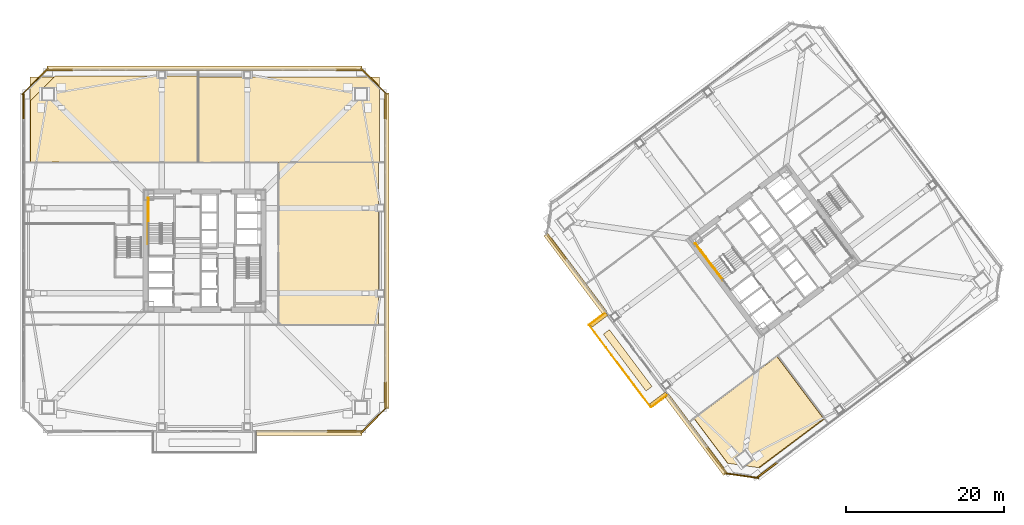
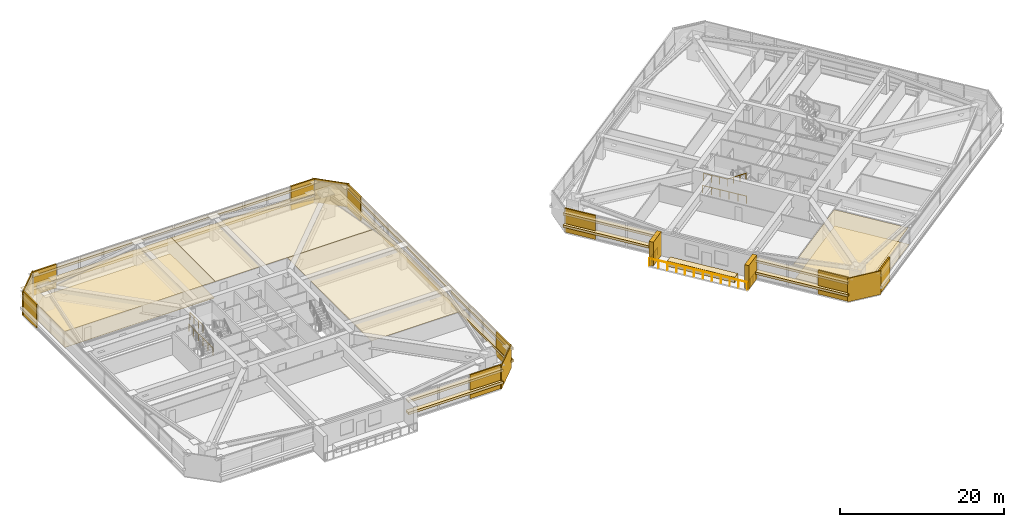
# One storey, part 45 of 48: 32 coverings, 8 railings.
"""IFC4 building model written with IfcOpenShell, lengths in metres."""

from ifc_helpers import new_model, si_unit, direction, frame, origin, origin_2d, place, context, subcontext, project, spatial, polyline, rectangle, outline, extrude, material, layer, layer_set, type_object, element, save


model = new_model("IFC4")

# Units and contexts
model_context = context("Model", 3, precision=1e-05, world=origin(), true_north=direction((0.0, 1.0)))
body_context = subcontext(model_context, "Body", "Model", "MODEL_VIEW")
ifc_project = project(units=[si_unit("LENGTHUNIT", "METRE"), si_unit("AREAUNIT", "SQUARE_METRE"), si_unit("VOLUMEUNIT", "CUBIC_METRE"), si_unit("PLANEANGLEUNIT", "RADIAN"), si_unit("MASSUNIT", "GRAM", prefix="KILO")], contexts=[model_context])

# Site, building, storey
site_placement = place(None, origin())
site = spatial("IfcSite", under=ifc_project, at=site_placement, CompositionType="ELEMENT")
building_placement = place(site_placement, origin())
building = spatial("IfcBuilding", under=site, at=building_placement, Name="Tashvorn Skyway Center", CompositionType="ELEMENT")
storey_placement = place(building_placement, frame((0.0, 0.0, 63.64990234375)))
storey = spatial("IfcBuildingStorey", under=building, at=storey_placement, Name="L16", CompositionType="ELEMENT", Elevation=63.64990234375)

# Coverings
ifc_material_1 = material(Name="Precast concrete C40/50", Category="concrete")
ifc_layer_1 = layer(ifc_material_1, 0.199951171875)
ifc_layer_set_1 = layer_set([ifc_layer_1], Name="Precast concrete C40/50")
covering_type_1 = type_object("IfcCoveringType", Name="COV-BRACE-CLAD", PredefinedType="CLADDING", material=ifc_layer_set_1)
covering_1_placement = place(storey_placement, frame((59.666748046875, 9.1201171875, 0.0), z_axis=(0.0, 0.0, 1.0), x_axis=(-1.0, 0.0, 0.0)))
element("IfcCovering", 1, at=covering_1_placement, inside=storey, type_object=covering_type_1, Name="Tower 1 L16 South Curtain Wall L Mega-Brace Cladding Band 1", PredefinedType="CLADDING", context=body_context, shape_type="SweptSolid", body=[
    extrude(rectangle(XDim=4.4267578125, YDim=0.199951171875, at=origin_2d()), origin(), (0.0, 0.0, 1.0), 3.550048828125),
])
for number, where, z_axis, x_axis, name in (
    (2, (19.1201171875, 50.223388671875, 0.0), (0.0, 0.0, 1.0), (0.0, 1.0, 0.0), "Tower 1 L16 West Unitised Curtain Wall Mega-Brace Cladding Band 2"),
    (3, (23.776611328125, 54.8798828125, 0.0), (0.0, 0.0, 1.0), (1.0, 0.0, 0.0), "Tower 1 L16 North Unitised Curtain Wall Mega-Brace Cladding Band 1"),
    (4, (60.223388671875, 54.8798828125, 0.0), (0.0, 0.0, 1.0), (1.0, 0.0, 0.0), "Tower 1 L16 North Unitised Curtain Wall Mega-Brace Cladding Band 2"),
    (5, (64.8798828125, 50.223388671875, 0.0), (0.0, 0.0, 1.0), (0.0, -1.0, 0.0), "Tower 1 L16 East Unitised Curtain Wall Mega-Brace Cladding Band 1"),
    (6, (64.8798828125, 13.776611328125, 0.0), (0.0, 0.0, 1.0), (0.0, -1.0, 0.0), "Tower 1 L16 East Unitised Curtain Wall Mega-Brace Cladding Band 2"),
):
    element("IfcCovering", number, at=place(storey_placement, frame(where, z_axis=z_axis, x_axis=x_axis)), inside=storey, type_object=covering_type_1, Name=name, PredefinedType="CLADDING", context=body_context, shape_type="SweptSolid", body=[
        extrude(rectangle(XDim=3.313232421875, YDim=0.199951171875, at=origin_2d()), origin(), (0.0, 0.0, 1.0), 3.550048828125),
    ])
covering_2_placement = place(storey_placement, frame((113.16259765625, 4.27197265625, 0.0), z_axis=(0.0, 0.0, 1.0), x_axis=(-0.799999996291, -0.600000004945, 0.0)))
element("IfcCovering", 7, at=covering_2_placement, inside=storey, type_object=covering_type_1, Name="Tower 2 L16 South Unitised Curtain Wall Mega-Brace Cladding Band 2", PredefinedType="CLADDING", context=body_context, shape_type="SweptSolid", body=[
    extrude(rectangle(XDim=3.146728515625, YDim=0.199951171875, at=origin_2d()), origin(), (0.0, 0.0, 1.0), 3.550048828125),
])
for number, where, z_axis, x_axis, name in (
    (8, (106.756103515625, 5.525390625, 0.0), (0.0, 0.0, 1.0), (-0.600000004945, 0.799999996291, 0.0), "Tower 2 L16 West Curtain Wall L Mega-Brace Cladding Band 1"),
    (9, (86.555908203125, 32.458740234375, 0.0), (0.0, 0.0, 1.0), (-0.600000004945, 0.799999996291, 0.0), "Tower 2 L16 West Curtain Wall R Mega-Brace Cladding Band 1"),
):
    element("IfcCovering", number, at=place(storey_placement, frame(where, z_axis=z_axis, x_axis=x_axis)), inside=storey, type_object=covering_type_1, Name=name, PredefinedType="CLADDING", context=body_context, shape_type="SweptSolid", body=[
        extrude(rectangle(XDim=4.09326171875, YDim=0.199951171875, at=origin_2d()), origin(), (0.0, 0.0, 1.0), 3.550048828125),
    ])
ifc_material_2 = material(Name="Mineral-fibre acoustic ceiling tile on suspended grid")
ifc_layer_2 = layer(ifc_material_2, 0.02001953125)
ifc_layer_set_2 = layer_set([ifc_layer_2], Name="Mineral-fibre acoustic ceiling tile on suspended grid")
covering_type_2 = type_object("IfcCoveringType", Name="COV-CEIL-20", PredefinedType="CEILING", material=ifc_layer_set_2)
covering_3_placement = place(storey_placement, frame((0.0, 0.0, 2.47314453125)))
element("IfcCovering", 10, at=covering_3_placement, inside=storey, type_object=covering_type_2, Name="Tower 1 L16 Gallery Showroom Acoustic Ceiling", PredefinedType="CEILING", context=body_context, shape_type="SweptSolid", body=[
    extrude(outline(polyline([(19.89990234375, 43.169921875), (41.199951171875, 43.169921875), (41.199951171875, 54.0), (19.89990234375, 54.0), (19.89990234375, 43.169921875)])), origin(), (0.0, 0.0, 1.0), 0.02001953125),
])
covering_4_placement = place(storey_placement, frame((0.0, 0.0, 2.47314453125)))
element("IfcCovering", 11, at=covering_4_placement, inside=storey, type_object=covering_type_2, Name="Tower 1 L16 Gallery Showroom Acoustic Ceiling", PredefinedType="CEILING", context=body_context, shape_type="SweptSolid", body=[
    extrude(outline(polyline([(41.199951171875, 43.169921875), (64.10009765625, 43.169921875), (64.10009765625, 54.0), (41.199951171875, 54.0), (41.199951171875, 43.169921875)])), origin(), (0.0, 0.0, 1.0), 0.02001953125),
])
covering_5_placement = place(storey_placement, frame((0.0, 0.0, 2.47314453125)))
element("IfcCovering", 12, at=covering_5_placement, inside=storey, type_object=covering_type_2, Name="Tower 1 L16 Conference Room Acoustic Ceiling", PredefinedType="CEILING", context=body_context, shape_type="SweptSolid", body=[
    extrude(outline(polyline([(51.35009765625, 22.64990234375), (64.0, 22.64990234375), (64.0, 43.169921875), (51.35009765625, 43.169921875), (51.35009765625, 22.64990234375)])), origin(), (0.0, 0.0, 1.0), 0.02001953125),
])
covering_6_placement = place(storey_placement, frame((0.0, 0.0, 2.47314453125)))
element("IfcCovering", 13, at=covering_6_placement, inside=storey, type_object=covering_type_2, Name="Tower 2 L16 Open Plan Office Acoustic Ceiling", PredefinedType="CEILING", context=body_context, shape_type="SweptSolid", body=[
    extrude(outline(polyline([(103.93994140625, 10.780029296875), (114.387939453125, 18.615966796875), (120.2919921875, 10.743896484375), (112.052001953125, 4.56396484375), (108.18798828125, 5.115966796875), (103.93994140625, 10.780029296875)])), origin(), (0.0, 0.0, 1.0), 0.02001953125),
])
ifc_material_3 = material(Name="Polished Mojave desert-aggregate terrazzo and cover plate")
ifc_layer_3 = layer(ifc_material_3, 0.0400390625)
ifc_layer_set_3 = layer_set([ifc_layer_3], Name="Polished Mojave desert-aggregate terrazzo and cover plate")
covering_type_3 = type_object("IfcCoveringType", Name="COV-FLR-40", PredefinedType="FLOORING", material=ifc_layer_set_3)
covering_7_placement = place(storey_placement, origin())
element("IfcCovering", 14, at=covering_7_placement, inside=storey, type_object=covering_type_3, Name="Tower 1 L16 Gallery Showroom Finish Flooring", PredefinedType="FLOORING", context=body_context, shape_type="SweptSolid", body=[
    extrude(outline(polyline([(41.1201171875, 43.25), (19.97998046875, 43.25), (19.97998046875, 50.97998046875), (23.10009765625, 54.10009765625), (41.1201171875, 54.10009765625), (41.1201171875, 43.25)])), origin(), (0.0, 0.0, 1.0), 0.0400390625),
])
covering_8_placement = place(storey_placement, origin())
element("IfcCovering", 15, at=covering_8_placement, inside=storey, type_object=covering_type_3, Name="Tower 2 L16 Open Plan Office Finish Flooring", PredefinedType="FLOORING", context=body_context, shape_type="SweptSolid", body=[
    extrude(outline(polyline([(112.219970703125, 4.5400390625), (108.132080078125, 5.1240234375), (103.931884765625, 10.72412109375), (114.444091796875, 18.60791015625), (120.39599609375, 10.672119140625), (112.219970703125, 4.5400390625)])), origin(), (0.0, 0.0, 1.0), 0.0400390625),
])
ifc_material_4 = material(Name="Perforated ceramic-coated bronze aluminium solar screen", Category="aluminium")
ifc_layer_4 = layer(ifc_material_4, 0.85009765625)
ifc_layer_set_4 = layer_set([ifc_layer_4], Name="Perforated ceramic-coated bronze aluminium solar screen")
covering_type_4 = type_object("IfcCoveringType", Name="COV-SOLAR-BAND", PredefinedType="CLADDING", material=ifc_layer_set_4)
for number, where, z_axis, x_axis, name in (
    (16, (55.239990234375, 8.97998046875, 0.919921875), (0.0, 0.0, 1.0), (-1.0, 0.0, 0.0), "L16 Perforated Ceramic-Metal Solar Screen Louvre Band South 1"),
    (17, (55.239990234375, 8.97998046875, 2.72021484375), (0.0, 0.0, 1.0), (-1.0, 0.0, 0.0), "L16 Perforated Ceramic-Metal Solar Screen Louvre Band South 2"),
):
    element("IfcCovering", number, at=place(storey_placement, frame(where, z_axis=z_axis, x_axis=x_axis)), inside=storey, type_object=covering_type_4, Name=name, PredefinedType="CLADDING", context=body_context, shape_type="SweptSolid", body=[
        extrude(rectangle(XDim=13.39990234375, YDim=0.639892578125, at=origin_2d()), origin(), (0.0, 0.0, 1.0), 0.360107421875),
    ])
for number, where, z_axis, x_axis, name in (
    (18, (42.0, 55.02001953125, 0.919921875), (0.0, 0.0, 1.0), (1.0, 0.0, 0.0), "L16 Perforated Ceramic-Metal Solar Screen Louvre Band North 1"),
    (19, (42.0, 55.02001953125, 2.72021484375), (0.0, 0.0, 1.0), (1.0, 0.0, 0.0), "L16 Perforated Ceramic-Metal Solar Screen Louvre Band North 2"),
    (20, (65.02001953125, 32.0, 0.919921875), (0.0, 0.0, 1.0), (0.0, -1.0, 0.0), "L16 Perforated Ceramic-Metal Solar Screen Louvre Band East 1"),
    (21, (65.02001953125, 32.0, 2.72021484375), (0.0, 0.0, 1.0), (0.0, -1.0, 0.0), "L16 Perforated Ceramic-Metal Solar Screen Louvre Band East 2"),
):
    element("IfcCovering", number, at=place(storey_placement, frame(where, z_axis=z_axis, x_axis=x_axis)), inside=storey, type_object=covering_type_4, Name=name, PredefinedType="CLADDING", context=body_context, shape_type="SweptSolid", body=[
        extrude(rectangle(XDim=39.8798828125, YDim=0.639892578125, at=origin_2d()), origin(), (0.0, 0.0, 1.0), 0.360107421875),
    ])
for number, where, z_axis, x_axis, name in (
    (22, (104.18798828125, 8.716064453125, 0.919921875), (0.0, 0.0, 1.0), (-0.600000004945, 0.799999996291, 0.0), "L16 Perforated Ceramic-Metal Solar Screen Louvre Band West 1"),
    (23, (104.18798828125, 8.716064453125, 2.72021484375), (0.0, 0.0, 1.0), (-0.600000004945, 0.799999996291, 0.0), "L16 Perforated Ceramic-Metal Solar Screen Louvre Band West 2"),
    (24, (88.89990234375, 29.10009765625, 0.919921875), (0.0, 0.0, 1.0), (-0.600000004945, 0.799999996291, 0.0), "L16 Perforated Ceramic-Metal Solar Screen Louvre Band West 1"),
    (25, (88.89990234375, 29.10009765625, 2.72021484375), (0.0, 0.0, 1.0), (-0.600000004945, 0.799999996291, 0.0), "L16 Perforated Ceramic-Metal Solar Screen Louvre Band West 2"),
):
    element("IfcCovering", number, at=place(storey_placement, frame(where, z_axis=z_axis, x_axis=x_axis)), inside=storey, type_object=covering_type_4, Name=name, PredefinedType="CLADDING", context=body_context, shape_type="SweptSolid", body=[
        extrude(rectangle(XDim=12.39990234375, YDim=0.639892578125, at=origin_2d()), origin(), (0.0, 0.0, 1.0), 0.360107421875),
    ])
ifc_layer_5 = layer(ifc_material_1, 0.35009765625)
ifc_layer_set_5 = layer_set([ifc_layer_5], Name="Precast concrete C40/50")
covering_type_5 = type_object("IfcCoveringType", Name="COV-STONE-TRIM", PredefinedType="CLADDING", material=ifc_layer_set_5)
for number, where, z_axis, x_axis, name in (
    (26, (20.580078125, 53.419921875, 0.02001953125), (0.0, 0.0, 1.0), (-0.707106781187, -0.707106781187, 0.0), "Tower 1 L16 NW Mojave Limestone Corner Quoin"),
    (27, (63.419921875, 53.419921875, 0.02001953125), (0.0, 0.0, 1.0), (0.707106781187, -0.707106781187, 0.0), "Tower 1 L16 NE Mojave Limestone Corner Quoin"),
    (28, (63.419921875, 10.580078125, 0.02001953125), (0.0, 0.0, 1.0), (0.707106781187, 0.707106781187, 0.0), "Tower 1 L16 SE Mojave Limestone Corner Quoin"),
):
    element("IfcCovering", number, at=place(storey_placement, frame(where, z_axis=z_axis, x_axis=x_axis)), inside=storey, type_object=covering_type_5, Name=name, PredefinedType="CLADDING", context=body_context, shape_type="SweptSolid", body=[
        extrude(rectangle(XDim=4.685546875, YDim=0.139892578125, at=origin_2d()), origin(), (0.0, 0.0, 1.0), 3.510009765625),
    ])
for number, where, z_axis, x_axis, name in (
    (29, (99.449951171875, 13.14990234375, 0.0), (0.0, 0.0, 1.0), (-0.600000004945, 0.799999996291, 0.0), "Tower 2 L16 Sky Garden Loggia Pier L"),
    (30, (91.830078125, 23.31005859375, 0.0), (0.0, 0.0, 1.0), (-0.600000004945, 0.799999996291, 0.0), "Tower 2 L16 Sky Garden Loggia Pier R"),
):
    element("IfcCovering", number, at=place(storey_placement, frame(where, z_axis=z_axis, x_axis=x_axis)), inside=storey, type_object=covering_type_5, Name=name, PredefinedType="CLADDING", context=body_context, shape_type="SweptSolid", body=[
        extrude(rectangle(XDim=0.580078125, YDim=2.5, at=origin_2d()), origin(), (0.0, 0.0, 1.0), 3.550048828125),
    ])
covering_9_placement = place(storey_placement, frame((95.52001953125, 18.139892578125, 0.0), z_axis=(0.0, 0.0, 1.0), x_axis=(-0.600000004945, 0.799999996291, 0.0)))
element("IfcCovering", 31, at=covering_9_placement, inside=storey, type_object=covering_type_5, Name="Tower 2 L16 Sky Garden Stone Planter Bed", PredefinedType="CLADDING", context=body_context, shape_type="SweptSolid", body=[
    extrude(rectangle(XDim=8.97607421875, YDim=0.949951171875, at=origin_2d()), origin(), (0.0, 0.0, 1.0), 0.800048828125),
])
covering_10_placement = place(storey_placement, frame((109.93603515625, 3.552001953125, 0.02001953125), z_axis=(0.0, 0.0, 1.0), x_axis=(-0.989949494535, 0.141421350118, 0.0)))
element("IfcCovering", 32, at=covering_10_placement, inside=storey, type_object=covering_type_5, Name="Tower 2 L16 SW Mojave Limestone Corner Quoin", PredefinedType="CLADDING", context=body_context, shape_type="SweptSolid", body=[
    extrude(rectangle(XDim=4.402587890625, YDim=0.139892578125, at=origin_2d()), origin(), (0.0, 0.0, 1.0), 3.510009765625),
])

# Railings
ifc_material_5 = material(Name="Galvanized steel S355", Category="steel")
railing_type_1 = type_object("IfcRailingType", Name="RAIL-GUARD-1120", PredefinedType="GUARDRAIL", material=ifc_material_5)
railing_1_placement = place(storey_placement, frame((100.471923828125, 13.7041015625, 0.0)))
element("IfcRailing", 33, at=railing_1_placement, inside=storey, type_object=railing_type_1, Name="L16 Tower 2 Terrace Guardrail 01", PredefinedType="GUARDRAIL", context=body_context, shape_type="SweptSolid", body=[
    extrude(rectangle(XDim=0.048095703125, YDim=0.048095703125, at=origin_2d()), frame((0.0, 0.0, 1.09619140625), z_axis=(-0.799941867976, -0.600077501544, 0.0), x_axis=(0.600077501544, -0.799941867976, 0.0)), (0.0, 0.0, 1.0), 2.52001953125),
    extrude(rectangle(XDim=0.0419921875, YDim=0.0419921875, at=origin_2d()), origin(), (0.0, 0.0, 1.0), 1.072021484375),
    extrude(rectangle(XDim=0.0419921875, YDim=0.0419921875, at=origin_2d()), frame((-0.671875, -0.504150390625, 0.0)), (0.0, 0.0, 1.0), 1.072021484375),
    extrude(rectangle(XDim=0.0419921875, YDim=0.0419921875, at=origin_2d()), frame((-1.343994140625, -1.008056640625, 0.0)), (0.0, 0.0, 1.0), 1.072021484375),
    extrude(rectangle(XDim=0.0419921875, YDim=0.0419921875, at=origin_2d()), frame((-2.015869140625, -1.51220703125, 0.0)), (0.0, 0.0, 1.0), 1.072021484375),
])
railing_2_placement = place(storey_placement, frame((98.4560546875, 12.19189453125, 0.0)))
element("IfcRailing", 34, at=railing_2_placement, inside=storey, type_object=railing_type_1, Name="L16 Tower 2 Terrace Guardrail 02", PredefinedType="GUARDRAIL", context=body_context, shape_type="SweptSolid", body=[
    extrude(rectangle(XDim=0.048095703125, YDim=0.048095703125, at=origin_2d()), frame((0.0, 0.0, 1.09619140625), z_axis=(-0.599994008843, 0.800004493333, 0.0), x_axis=(-0.800004493333, -0.599994008843, 0.0)), (0.0, 0.0, 1.0), 13.0400390625),
    extrude(rectangle(XDim=0.0419921875, YDim=0.0419921875, at=origin_2d()), origin(), (0.0, 0.0, 1.0), 1.072021484375),
    extrude(rectangle(XDim=0.0419921875, YDim=0.0419921875, at=origin_2d()), frame((-0.711181640625, 0.948486328125, 0.0)), (0.0, 0.0, 1.0), 1.072021484375),
    extrude(rectangle(XDim=0.0419921875, YDim=0.0419921875, at=origin_2d()), frame((-1.422607421875, 1.896728515625, 0.0)), (0.0, 0.0, 1.0), 1.072021484375),
    extrude(rectangle(XDim=0.0419921875, YDim=0.0419921875, at=origin_2d()), frame((-2.1337890625, 2.84521484375, 0.0)), (0.0, 0.0, 1.0), 1.072021484375),
    extrude(rectangle(XDim=0.0419921875, YDim=0.0419921875, at=origin_2d()), frame((-2.844970703125, 3.79345703125, 0.0)), (0.0, 0.0, 1.0), 1.072021484375),
    extrude(rectangle(XDim=0.0419921875, YDim=0.0419921875, at=origin_2d()), frame((-3.556396484375, 4.741943359375, 0.0)), (0.0, 0.0, 1.0), 1.072021484375),
    extrude(rectangle(XDim=0.0419921875, YDim=0.0419921875, at=origin_2d()), frame((-4.267578125, 5.690185546875, 0.0)), (0.0, 0.0, 1.0), 1.072021484375),
    extrude(rectangle(XDim=0.0419921875, YDim=0.0419921875, at=origin_2d()), frame((-4.97900390625, 6.638671875, 0.0)), (0.0, 0.0, 1.0), 1.072021484375),
    extrude(rectangle(XDim=0.0419921875, YDim=0.0419921875, at=origin_2d()), frame((-5.690185546875, 7.5869140625, 0.0)), (0.0, 0.0, 1.0), 1.072021484375),
    extrude(rectangle(XDim=0.0419921875, YDim=0.0419921875, at=origin_2d()), frame((-6.4013671875, 8.535400390625, 0.0)), (0.0, 0.0, 1.0), 1.072021484375),
    extrude(rectangle(XDim=0.0419921875, YDim=0.0419921875, at=origin_2d()), frame((-7.11279296875, 9.483642578125, 0.0)), (0.0, 0.0, 1.0), 1.072021484375),
    extrude(rectangle(XDim=0.0419921875, YDim=0.0419921875, at=origin_2d()), frame((-7.823974609375, 10.43212890625, 0.0)), (0.0, 0.0, 1.0), 1.072021484375),
])
railing_3_placement = place(storey_placement, frame((90.632080078125, 22.6240234375, 0.0)))
element("IfcRailing", 35, at=railing_3_placement, inside=storey, type_object=railing_type_1, Name="L16 Tower 2 Terrace Guardrail 03", PredefinedType="GUARDRAIL", context=body_context, shape_type="SweptSolid", body=[
    extrude(rectangle(XDim=0.048095703125, YDim=0.048095703125, at=origin_2d()), frame((0.0, 0.0, 1.09619140625), z_axis=(0.79998837352, 0.60001550166, 0.0), x_axis=(-0.60001550166, 0.79998837352, 0.0)), (0.0, 0.0, 1.0), 2.519775390625),
    extrude(rectangle(XDim=0.0419921875, YDim=0.0419921875, at=origin_2d()), origin(), (0.0, 0.0, 1.0), 1.072021484375),
    extrude(rectangle(XDim=0.0419921875, YDim=0.0419921875, at=origin_2d()), frame((0.671875, 0.50390625, 0.0)), (0.0, 0.0, 1.0), 1.072021484375),
    extrude(rectangle(XDim=0.0419921875, YDim=0.0419921875, at=origin_2d()), frame((1.343994140625, 1.008056640625, 0.0)), (0.0, 0.0, 1.0), 1.072021484375),
    extrude(rectangle(XDim=0.0419921875, YDim=0.0419921875, at=origin_2d()), frame((2.015869140625, 1.511962890625, 0.0)), (0.0, 0.0, 1.0), 1.072021484375),
])
ifc_material_6 = material(Name="Brushed stainless steel 316", Category="steel")
railing_type_2 = type_object("IfcRailingType", Name="RAIL-HAND-920", PredefinedType="HANDRAIL", material=ifc_material_6)
railing_4_placement = place(storey_placement, frame((106.072021484375, 30.35400390625, 1.95263671875)))
element("IfcRailing", 36, at=railing_4_placement, inside=storey, type_object=railing_type_2, Name="L16 ST-T2-1 stair handrail 2", PredefinedType="HANDRAIL", context=body_context, shape_type="SweptSolid", body=[
    extrude(rectangle(XDim=0.048095703125, YDim=0.048095703125, at=origin_2d()), frame((0.0, 0.0, 0.8759765625), z_axis=(0.506740800098, -0.675708949977, 0.535379469569), x_axis=(0.800023250257, 0.599968998406, 0.0)), (0.0, 0.0, 1.0), 2.983642578125),
    extrude(rectangle(XDim=0.0419921875, YDim=0.0419921875, at=origin_2d()), origin(), (0.0, 0.0, 1.0), 0.851806640625),
    extrude(rectangle(XDim=0.0419921875, YDim=0.0419921875, at=origin_2d()), frame((0.50390625, -0.672119140625, 0.532470703125)), (0.0, 0.0, 1.0), 0.851806640625),
    extrude(rectangle(XDim=0.0419921875, YDim=0.0419921875, at=origin_2d()), frame((1.008056640625, -1.343994140625, 1.06494140625)), (0.0, 0.0, 1.0), 0.851806640625),
    extrude(rectangle(XDim=0.0419921875, YDim=0.0419921875, at=origin_2d()), frame((1.511962890625, -2.01611328125, 1.597412109375)), (0.0, 0.0, 1.0), 0.851806640625),
])
ifc_material_7 = material(Name="Painted galvanized steel S355", Category="steel")
railing_type_3 = type_object("IfcRailingType", Name="RAIL-STGUARD-1100", PredefinedType="GUARDRAIL", material=ifc_material_7)
railing_5_placement = place(storey_placement, frame((34.949951171875, 35.43994140625, 1.775146484375)))
element("IfcRailing", 37, at=railing_5_placement, inside=storey, type_object=railing_type_3, Name="L16 ST-T1-1 stair guard 3", PredefinedType="GUARDRAIL", context=body_context, shape_type="SweptSolid", body=[
    extrude(rectangle(XDim=0.048095703125, YDim=0.048095703125, at=origin_2d()), frame((0.0, 0.0, 1.076171875), z_axis=(0.0, 1.0, 0.0), x_axis=(-1.0, 0.0, 0.0)), (0.0, 0.0, 1.0), 3.16015625),
    extrude(rectangle(XDim=0.0419921875, YDim=0.0419921875, at=origin_2d()), origin(), (0.0, 0.0, 1.0), 1.052001953125),
    extrude(rectangle(XDim=0.0419921875, YDim=0.0419921875, at=origin_2d()), frame((0.0, 1.053466796875, 0.0)), (0.0, 0.0, 1.0), 1.052001953125),
    extrude(rectangle(XDim=0.0419921875, YDim=0.0419921875, at=origin_2d()), frame((0.0, 2.106689453125, 0.0)), (0.0, 0.0, 1.0), 1.052001953125),
    extrude(rectangle(XDim=0.0419921875, YDim=0.0419921875, at=origin_2d()), frame((0.0, 3.16015625, 0.0)), (0.0, 0.0, 1.0), 1.052001953125),
])
railing_6_placement = place(storey_placement, frame((34.85009765625, 32.820068359375, 0.0)))
element("IfcRailing", 38, at=railing_6_placement, inside=storey, type_object=railing_type_3, Name="L16 ST-T1-1 stair guard 7", PredefinedType="GUARDRAIL", context=body_context, shape_type="SweptSolid", body=[
    extrude(rectangle(XDim=0.048095703125, YDim=0.048095703125, at=origin_2d()), frame((0.0, 0.0, 1.076171875), z_axis=(0.0, 1.0, 0.0), x_axis=(-1.0, 0.0, 0.0)), (0.0, 0.0, 1.0), 5.8798828125),
    extrude(rectangle(XDim=0.0419921875, YDim=0.0419921875, at=origin_2d()), origin(), (0.0, 0.0, 1.0), 1.052001953125),
    extrude(rectangle(XDim=0.0419921875, YDim=0.0419921875, at=origin_2d()), frame((0.0, 1.176025390625, 0.0)), (0.0, 0.0, 1.0), 1.052001953125),
    extrude(rectangle(XDim=0.0419921875, YDim=0.0419921875, at=origin_2d()), frame((0.0, 2.35205078125, 0.0)), (0.0, 0.0, 1.0), 1.052001953125),
    extrude(rectangle(XDim=0.0419921875, YDim=0.0419921875, at=origin_2d()), frame((0.0, 3.52783203125, 0.0)), (0.0, 0.0, 1.0), 1.052001953125),
    extrude(rectangle(XDim=0.0419921875, YDim=0.0419921875, at=origin_2d()), frame((0.0, 4.703857421875, 0.0)), (0.0, 0.0, 1.0), 1.052001953125),
    extrude(rectangle(XDim=0.0419921875, YDim=0.0419921875, at=origin_2d()), frame((0.0, 5.8798828125, 0.0)), (0.0, 0.0, 1.0), 1.052001953125),
])
railing_7_placement = place(storey_placement, frame((106.072021484375, 30.35400390625, 1.775146484375)))
element("IfcRailing", 39, at=railing_7_placement, inside=storey, type_object=railing_type_3, Name="L16 ST-T2-1 stair guard 3", PredefinedType="GUARDRAIL", context=body_context, shape_type="SweptSolid", body=[
    extrude(rectangle(XDim=0.048095703125, YDim=0.048095703125, at=origin_2d()), frame((0.0, 0.0, 1.076171875), z_axis=(-0.599987638607, 0.800009270896, 0.0), x_axis=(-0.800009270896, -0.599987638607, 0.0)), (0.0, 0.0, 1.0), 3.16015625),
    extrude(rectangle(XDim=0.0419921875, YDim=0.0419921875, at=origin_2d()), origin(), (0.0, 0.0, 1.0), 1.052001953125),
    extrude(rectangle(XDim=0.0419921875, YDim=0.0419921875, at=origin_2d()), frame((-0.632080078125, 0.8427734375, 0.0)), (0.0, 0.0, 1.0), 1.052001953125),
    extrude(rectangle(XDim=0.0419921875, YDim=0.0419921875, at=origin_2d()), frame((-1.263916015625, 1.685302734375, 0.0)), (0.0, 0.0, 1.0), 1.052001953125),
    extrude(rectangle(XDim=0.0419921875, YDim=0.0419921875, at=origin_2d()), frame((-1.89599609375, 2.528076171875, 0.0)), (0.0, 0.0, 1.0), 1.052001953125),
])
railing_8_placement = place(storey_placement, frame((107.56396484375, 28.197998046875, 0.0)))
element("IfcRailing", 40, at=railing_8_placement, inside=storey, type_object=railing_type_3, Name="L16 ST-T2-1 stair guard 7", PredefinedType="GUARDRAIL", context=body_context, shape_type="SweptSolid", body=[
    extrude(rectangle(XDim=0.048095703125, YDim=0.048095703125, at=origin_2d()), frame((0.0, 0.0, 1.076171875), z_axis=(-0.6, 0.8, 0.0), x_axis=(-0.8, -0.6, 0.0)), (0.0, 0.0, 1.0), 5.880126953125),
    extrude(rectangle(XDim=0.0419921875, YDim=0.0419921875, at=origin_2d()), origin(), (0.0, 0.0, 1.0), 1.052001953125),
    extrude(rectangle(XDim=0.0419921875, YDim=0.0419921875, at=origin_2d()), frame((-0.70556640625, 0.94091796875, 0.0)), (0.0, 0.0, 1.0), 1.052001953125),
    extrude(rectangle(XDim=0.0419921875, YDim=0.0419921875, at=origin_2d()), frame((-1.4111328125, 1.881591796875, 0.0)), (0.0, 0.0, 1.0), 1.052001953125),
    extrude(rectangle(XDim=0.0419921875, YDim=0.0419921875, at=origin_2d()), frame((-2.116943359375, 2.822509765625, 0.0)), (0.0, 0.0, 1.0), 1.052001953125),
    extrude(rectangle(XDim=0.0419921875, YDim=0.0419921875, at=origin_2d()), frame((-2.822509765625, 3.76318359375, 0.0)), (0.0, 0.0, 1.0), 1.052001953125),
    extrude(rectangle(XDim=0.0419921875, YDim=0.0419921875, at=origin_2d()), frame((-3.528076171875, 4.7041015625, 0.0)), (0.0, 0.0, 1.0), 1.052001953125),
])

save(model, "model.ifc")
